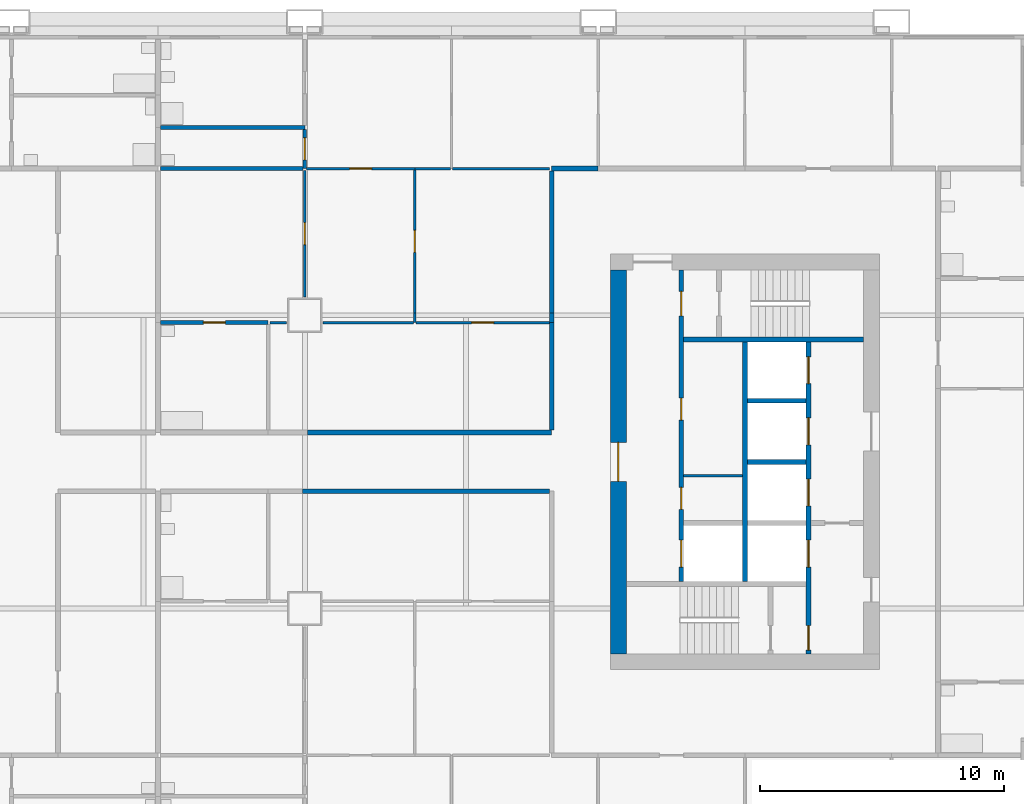
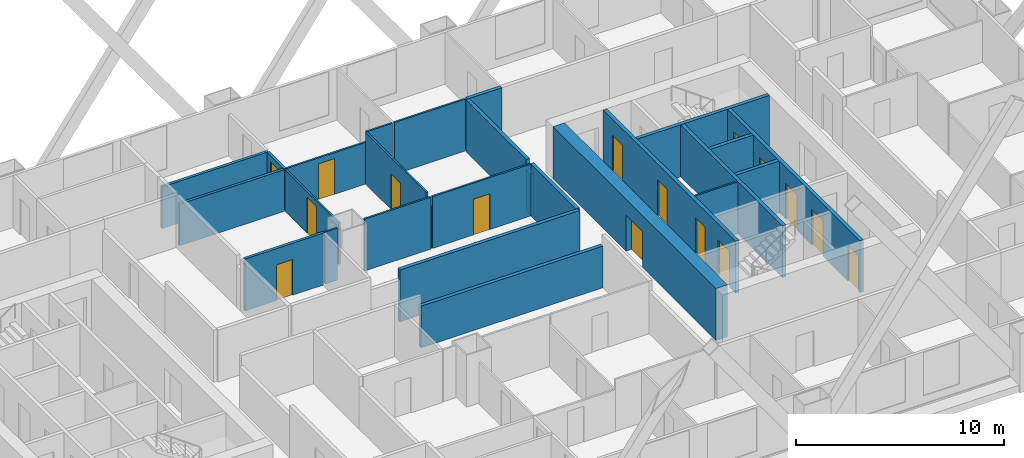
# One storey, part 6 of 11: 27 walls, 16 doors, 16 openings.
"""IFC4 building model written with IfcOpenShell, lengths in metres."""

import ifcopenshell
import ifcopenshell.guid

model = None  # the IFC model being written
_history = None  # IfcOwnerHistory: only IFC2X3 demands one
_inside = {}  # id of a spatial element -> (the spatial element, [elements in it])
_under = {}  # id of a project, library or spatial element -> (it, [spatial elements below it])
_declared = {}  # id of a project -> (the project, [libraries it declares])
_typed = {}  # id of a type object -> (the type object, [elements of that type])
_made_of = {}  # id of a material, layer set ... -> (it, [elements and type objects made of it])


def new_model(schema):
    """Start an empty IFC model of exactly this schema.

    Asked for "IFC4X3", IfcOpenShell would pick the latest addendum, in which some entities
    have other attributes; the version numbers below select the first issue.
    IFC2X3 requires an IfcOwnerHistory on every rooted entity: one is made here for all.
    """
    global model, _history
    if schema == "IFC4X3":
        model = ifcopenshell.file(schema_version=(4, 3, 0, 0))
    else:
        model = ifcopenshell.file(schema=schema)
    _inside.clear()
    _under.clear()
    _declared.clear()
    _typed.clear()
    _made_of.clear()
    _history = None
    if model.schema == "IFC2X3":
        org = make("IfcOrganization", Name="unknown")
        user = make(
            "IfcPersonAndOrganization",
            ThePerson=make("IfcPerson", FamilyName="unknown"),
            TheOrganization=org,
        )
        app = make(
            "IfcApplication",
            ApplicationDeveloper=org,
            Version="unknown",
            ApplicationFullName="unknown",
            ApplicationIdentifier="unknown",
        )
        _history = make(
            "IfcOwnerHistory",
            OwningUser=user,
            OwningApplication=app,
            ChangeAction="ADDED",
            CreationDate=0,
        )
    return model


def make(cls, **values):
    """One entity of the class cls with the attributes given. An attribute that is None is left unset."""
    return model.create_entity(
        cls, **{name: value for name, value in values.items() if value is not None}
    )


def rooted(cls, **values):
    """An entity with a GlobalId (a new one), such as an element, a storey or a relation."""
    return make(cls, GlobalId=ifcopenshell.guid.new(), OwnerHistory=_history, **values)


def si_unit(unit_type, name, prefix=None):
    """IfcSIUnit, for example si_unit("LENGTHUNIT", "METRE", prefix="MILLI")."""
    return make("IfcSIUnit", UnitType=unit_type, Prefix=prefix, Name=name)


def assignment(units):
    """IfcUnitAssignment: the units of a project."""
    return None if units is None else make("IfcUnitAssignment", Units=units)


def point(xyz):
    """IfcCartesianPoint."""
    return None if xyz is None else make("IfcCartesianPoint", Coordinates=xyz)


def direction(xyz):
    """IfcDirection."""
    return None if xyz is None else make("IfcDirection", DirectionRatios=xyz)


def frame(location, z_axis=None, x_axis=None):
    """IfcAxis2Placement3D, a coordinate frame: its origin and axes. An axis left out is left unset."""
    return make(
        "IfcAxis2Placement3D",
        Location=point(location),
        Axis=direction(z_axis),
        RefDirection=direction(x_axis),
    )


def frame_2d(location, x_axis=None):
    """IfcAxis2Placement2D, a coordinate frame in the plane: its origin and x axis."""
    return make(
        "IfcAxis2Placement2D", Location=point(location), RefDirection=direction(x_axis)
    )


def origin():
    """The frame at (0, 0, 0) with its axes left unset."""
    return frame((0.0, 0.0, 0.0))


def place(relative_to, where):
    """IfcLocalPlacement: puts the frame where relative to a parent placement (None: the world)."""
    return make(
        "IfcLocalPlacement", PlacementRelTo=relative_to, RelativePlacement=where
    )


def context(
    kind, dimensions, precision=None, world=None, true_north=None, identifier=None
):
    """IfcGeometricRepresentationContext, for example the 3D "Model" context."""
    return make(
        "IfcGeometricRepresentationContext",
        ContextIdentifier=identifier,
        ContextType=kind,
        CoordinateSpaceDimension=dimensions,
        Precision=precision,
        WorldCoordinateSystem=world,
        TrueNorth=true_north,
    )


def subcontext(parent, identifier, kind, view, scale=None):
    """IfcGeometricRepresentationSubContext, for example "Body" below "Model"."""
    return make(
        "IfcGeometricRepresentationSubContext",
        ContextIdentifier=identifier,
        ContextType=kind,
        ParentContext=parent,
        TargetScale=scale,
        TargetView=view,
    )


def project(units=None, contexts=None):
    """IfcProject with its units and contexts."""
    return rooted(
        "IfcProject",
        Name="project",
        RepresentationContexts=contexts,
        UnitsInContext=assignment(units),
    )


def spatial(cls, under=None, at=None, **own):
    """A site, building, storey or space (cls), placed at a placement, below another one or the project."""
    s = rooted(cls, ObjectPlacement=at, **own)
    if under is not None:
        _under.setdefault(under.id(), (under, []))[1].append(s)
    return s


def profile(cls, at=None, kind="AREA", **sizes):
    """A parametric profile (cls). Its sizes go by their IFC names, for example OverallWidth=200.0."""
    return make(cls, ProfileType=kind, Position=at, **sizes)


def rectangle(**sizes):
    """IfcRectangleProfileDef."""
    return profile("IfcRectangleProfileDef", **sizes)


def extrude(swept, where, along, depth):
    """IfcExtrudedAreaSolid: the profile swept, set in the frame where, extruded along a direction by depth."""
    return make(
        "IfcExtrudedAreaSolid",
        SweptArea=swept,
        Position=where,
        ExtrudedDirection=direction(along),
        Depth=depth,
    )


def shape(context_of_items, identifier, shape_type, items):
    """IfcShapeRepresentation: the items that make up one representation, for example the "Body"."""
    return make(
        "IfcShapeRepresentation",
        ContextOfItems=context_of_items,
        RepresentationIdentifier=identifier,
        RepresentationType=shape_type,
        Items=items,
    )


def material(Name=None, Category=None):
    """IfcMaterial."""
    return make("IfcMaterial", Name=Name, Category=Category)


def layer(
    of_material, thickness, ventilated=None, Name=None, Category=None, Priority=None
):
    """IfcMaterialLayer: one layer of a wall or slab, of a material (None: an air gap)."""
    return make(
        "IfcMaterialLayer",
        Material=of_material,
        LayerThickness=thickness,
        IsVentilated=ventilated,
        Name=Name,
        Category=Category,
        Priority=Priority,
    )


def layer_set(layers, Name=None):
    """IfcMaterialLayerSet."""
    return make("IfcMaterialLayerSet", MaterialLayers=layers, LayerSetName=Name)


def made_of(thing, what):
    """Note that an element or type object is made of a material, layer set ...; save() writes the relation."""
    if what is not None:
        _made_of.setdefault(what.id(), (what, []))[1].append(thing)
    return thing


def type_object(cls, material=None, **own):
    """A type object (cls), such as IfcWallType, which elements share."""
    return made_of(rooted(cls, **own), material)


def element(
    cls,
    number,
    at=None,
    inside=None,
    cuts=None,
    type_object=None,
    material=None,
    context=None,
    identifier="Body",
    shape_type=None,
    held_by="IfcProductDefinitionShape",
    body=None,
    shapes=None,
    **own,
):
    """One element of the class cls, such as IfcWall. Its Tag is "e" and its number.

    at: its placement. inside: the storey or other place that contains it. cuts: it is an
    opening in that element (IfcRelVoidsElement). A single representation is given by context,
    identifier, shape_type and body (its items); several are given by shapes. held_by: the class
    of the entity that holds the representations. save() writes the other relations.
    """
    e = rooted(cls, Tag="e%d" % number, ObjectPlacement=at, **own)
    if body is not None:
        shapes = [shape(context, identifier, shape_type, body)]
    if shapes is not None:
        e.Representation = make(held_by, Representations=shapes)
    if inside is not None:
        _inside.setdefault(inside.id(), (inside, []))[1].append(e)
    if cuts is not None:
        rooted(
            "IfcRelVoidsElement", RelatingBuildingElement=cuts, RelatedOpeningElement=e
        )
    if type_object is not None:
        _typed.setdefault(type_object.id(), (type_object, []))[1].append(e)
    return made_of(e, material)


def fill(opening, filler):
    """IfcRelFillsElement: the door or window that sits in an opening."""
    return rooted(
        "IfcRelFillsElement",
        RelatingOpeningElement=opening,
        RelatedBuildingElement=filler,
    )


def aggregate(whole, parts):
    """IfcRelAggregates: a whole, such as a stair, and the parts it consists of."""
    return rooted("IfcRelAggregates", RelatingObject=whole, RelatedObjects=parts)


def save(model, path):
    """Write the relations noted so far, then the file.

    IfcRelAggregates (storeys below a building ...), IfcRelContainedInSpatialStructure (elements
    in a storey), IfcRelDefinesByType, IfcRelAssociatesMaterial and IfcRelDeclares: one each for
    every whole, place, type object, material and project.
    """
    for whole, parts in _under.values():
        aggregate(whole, parts)
    for where, things in _inside.values():
        rooted(
            "IfcRelContainedInSpatialStructure",
            RelatedElements=things,
            RelatingStructure=where,
        )
    for kind, things in _typed.values():
        rooted("IfcRelDefinesByType", RelatedObjects=things, RelatingType=kind)
    for what, things in _made_of.values():
        rooted("IfcRelAssociatesMaterial", RelatedObjects=things, RelatingMaterial=what)
    for by, libraries in _declared.values():
        rooted("IfcRelDeclares", RelatingContext=by, RelatedDefinitions=libraries)
    model.write(path)


model = new_model("IFC4")

# Units and contexts
model_context = context("Model", 3, precision=1e-05, world=origin(), true_north=direction((0.0, 1.0)))
body_context = subcontext(model_context, "Body", "Model", "MODEL_VIEW")
ifc_project = project(units=[si_unit("LENGTHUNIT", "METRE"), si_unit("AREAUNIT", "SQUARE_METRE"), si_unit("VOLUMEUNIT", "CUBIC_METRE"), si_unit("PLANEANGLEUNIT", "RADIAN"), si_unit("MASSUNIT", "GRAM", prefix="KILO")], contexts=[model_context])

# Site, building, storey
site_placement = place(None, origin())
site = spatial("IfcSite", under=ifc_project, at=site_placement, CompositionType="ELEMENT")
building_placement = place(site_placement, origin())
building = spatial("IfcBuilding", under=site, at=building_placement, Name="Kitamizu Gate Tower and Museum", CompositionType="ELEMENT")
storey_placement = place(building_placement, frame((0.0, 0.0, 113.85009765625)))
storey = spatial("IfcBuildingStorey", under=building, at=storey_placement, Name="L29", CompositionType="ELEMENT", Elevation=113.85009765625)

# Wall, opening, door
ifc_material_1 = material(Name="Concrete Fc60", Category="concrete")
ifc_layer_1 = layer(ifc_material_1, 0.64990234375)
ifc_layer_set_1 = layer_set([ifc_layer_1], Name="Concrete Fc60")
wall_type_1 = type_object("IfcWallType", Name="Core wall 650", PredefinedType="SHEAR", material=ifc_layer_set_1)
wall_1_placement = place(storey_placement, frame((48.824951171875, 22.14990234375, 0.0), z_axis=(0.0, 0.0, 1.0), x_axis=(0.0, 1.0, 0.0)))
wall_1 = element("IfcWall", 1, at=wall_1_placement, inside=storey, type_object=wall_type_1, Name="Core wall EARC", PredefinedType="SHEAR", context=body_context, shape_type="SweptSolid", body=[
    extrude(rectangle(XDim=15.7001953125, YDim=0.64990234375, at=frame_2d((7.85009765625, 0.0))), origin(), (0.0, 0.0, 1.0), 3.0498046875),
])
opening_1_placement = place(wall_1_placement, frame((7.050048828125, 0.0, 0.0)))
opening_1 = element("IfcOpeningElement", 2, at=opening_1_placement, cuts=wall_1, Name="Opening L29-072", PredefinedType="OPENING", context=body_context, shape_type="SweptSolid", body=[
    extrude(rectangle(XDim=1.60009765625, YDim=2.10009765625, at=frame_2d((0.800048828125, 1.050048828125))), frame((0.0, 0.3349609375, 0.0), z_axis=(0.0, -1.0, 0.0), x_axis=(1.0, 0.0, 0.0)), (0.0, 0.0, 1.0), 0.669921875),
])
ifc_material_2 = material(Name="Timber door set", Category="wood")
door_type_1 = type_object("IfcDoorType", Name="Entrance door 1600", OperationType="DOUBLE_DOOR_SINGLE_SWING", PredefinedType="DOOR", material=ifc_material_2)
door_1_placement = place(opening_1_placement, origin())
door_1 = element("IfcDoor", 3, at=door_1_placement, inside=storey, type_object=door_type_1, Name="Lobby door L29-072", OperationType="DOUBLE_DOOR_SINGLE_SWING", OverallHeight=2.10009765625, OverallWidth=1.60009765625, PredefinedType="DOOR", context=body_context, shape_type="SweptSolid", body=[
    extrude(rectangle(XDim=1.60009765625, YDim=2.10009765625, at=frame_2d((0.800048828125, 1.050048828125))), frame((0.0, 0.02490234375, 0.0), z_axis=(0.0, -1.0, 0.0), x_axis=(1.0, 0.0, 0.0)), (0.0, 0.0, 1.0), 0.050048828125),
])
fill(opening_1, door_1)

# Wall
ifc_material_3 = material(Name="Gypsum board on galvanised stud")
ifc_layer_2 = layer(ifc_material_3, 0.10009765625)
ifc_layer_set_2 = layer_set([ifc_layer_2], Name="Gypsum board on galvanised stud")
wall_type_2 = type_object("IfcWallType", Name="Partition 100", PredefinedType="PARTITIONING", material=ifc_layer_set_2)
wall_2_placement = place(storey_placement, frame((53.89990234375, 29.425048828125, 0.0), z_axis=(0.0, 0.0, 1.0), x_axis=(-1.0, 0.0, 0.0)))
element("IfcWall", 4, at=wall_2_placement, inside=storey, type_object=wall_type_2, Name="Partition EPF1", PredefinedType="PARTITIONING", context=body_context, shape_type="SweptSolid", body=[
    extrude(rectangle(XDim=2.39990234375, YDim=0.10009765625, at=frame_2d((1.199951171875, 0.0))), origin(), (0.0, 0.0, 1.0), 3.0498046875),
])

# Wall, opening, door
ifc_material_4 = material(Name="Gypsum board on galvanised stud")
ifc_layer_3 = layer(ifc_material_4, 0.10009765625)
ifc_layer_set_3 = layer_set([ifc_layer_3], Name="Gypsum board on galvanised stud")
wall_type_3 = type_object("IfcWallType", Name="Partition 100 NOT RATED", PredefinedType="PARTITIONING", material=ifc_layer_set_3)
wall_3_placement = place(storey_placement, frame((36.074951171875, 42.0, 0.0), z_axis=(0.0, 0.0, 1.0), x_axis=(1.0, 0.0, 0.0)))
wall_3 = element("IfcWall", 5, at=wall_3_placement, inside=storey, type_object=wall_type_3, Name="Partition L29-112", PredefinedType="PARTITIONING", context=body_context, shape_type="SweptSolid", body=[
    extrude(rectangle(XDim=4.425048828125, YDim=0.10009765625, at=frame_2d((2.21240234375, 0.0))), origin(), (0.0, 0.0, 1.0), 2.449951171875),
])
opening_2_placement = place(wall_3_placement, frame((1.762451171875, 0.0, 0.0)))
opening_2 = element("IfcOpeningElement", 6, at=opening_2_placement, cuts=wall_3, Name="Opening L29-044", PredefinedType="OPENING", context=body_context, shape_type="SweptSolid", body=[
    extrude(rectangle(XDim=0.89990234375, YDim=2.10009765625, at=frame_2d((0.449951171875, 1.050048828125))), frame((0.0, 0.06005859375, 0.0), z_axis=(0.0, -1.0, 0.0), x_axis=(1.0, 0.0, 0.0)), (0.0, 0.0, 1.0), 0.1201171875),
])
ifc_material_5 = material(Name="Timber door set", Category="wood")
door_type_2 = type_object("IfcDoorType", Name="Room door 900", OperationType="NOTDEFINED", PredefinedType="DOOR", material=ifc_material_5)
door_2_placement = place(opening_2_placement, frame((0.89990234375, 0.0, 0.0), x_axis=(-1.0, 0.0, 0.0)))
door_2 = element("IfcDoor", 7, at=door_2_placement, inside=storey, type_object=door_type_2, Name="Door L29-044", OperationType="SINGLE_SWING_RIGHT", OverallHeight=2.10009765625, OverallWidth=0.89990234375, PredefinedType="DOOR", context=body_context, shape_type="SweptSolid", body=[
    extrude(rectangle(XDim=0.89990234375, YDim=2.10009765625, at=frame_2d((0.449951171875, 1.050048828125))), frame((0.0, 0.02490234375, 0.0), z_axis=(0.0, -1.0, 0.0), x_axis=(1.0, 0.0, 0.0)), (0.0, 0.0, 1.0), 0.050048828125),
])
fill(opening_2, door_2)

# Walls
wall_4_placement = place(storey_placement, frame((40.5, 42.0, 0.0), z_axis=(0.0, 0.0, 1.0), x_axis=(1.0, 0.0, 0.0)))
element("IfcWall", 8, at=wall_4_placement, inside=storey, type_object=wall_type_3, Name="Partition L29-113", PredefinedType="PARTITIONING", context=body_context, shape_type="SweptSolid", body=[
    extrude(rectangle(XDim=1.449951171875, YDim=0.10009765625, at=frame_2d((0.72509765625, 0.0))), origin(), (0.0, 0.0, 1.0), 3.0498046875),
])
wall_5_placement = place(storey_placement, frame((42.050048828125, 42.0, 0.0), z_axis=(0.0, 0.0, 1.0), x_axis=(1.0, 0.0, 0.0)))
element("IfcWall", 9, at=wall_5_placement, inside=storey, type_object=wall_type_3, Name="Partition L29-115", PredefinedType="PARTITIONING", context=body_context, shape_type="SweptSolid", body=[
    extrude(rectangle(XDim=3.949951171875, YDim=0.10009765625, at=frame_2d((1.97509765625, 0.0))), origin(), (0.0, 0.0, 1.0), 3.0498046875),
])

# Wall, opening, door
wall_6_placement = place(storey_placement, frame((36.0, 36.75, 0.0), z_axis=(0.0, 0.0, 1.0), x_axis=(0.0, 1.0, 0.0)))
wall_6 = element("IfcWall", 10, at=wall_6_placement, inside=storey, type_object=wall_type_3, Name="Partition L29-122", PredefinedType="PARTITIONING", context=body_context, shape_type="SweptSolid", body=[
    extrude(rectangle(XDim=5.175048828125, YDim=0.10009765625, at=frame_2d((2.58740234375, 0.0))), origin(), (0.0, 0.0, 1.0), 2.449951171875),
])
opening_3_placement = place(wall_6_placement, frame((2.137451171875, 0.0, 0.0)))
opening_3 = element("IfcOpeningElement", 11, at=opening_3_placement, cuts=wall_6, Name="Opening L29-049", PredefinedType="OPENING", context=body_context, shape_type="SweptSolid", body=[
    extrude(rectangle(XDim=0.89990234375, YDim=2.10009765625, at=frame_2d((0.449951171875, 1.050048828125))), frame((0.0, 0.06005859375, 0.0), z_axis=(0.0, -1.0, 0.0), x_axis=(1.0, 0.0, 0.0)), (0.0, 0.0, 1.0), 0.1201171875),
])
door_3_placement = place(opening_3_placement, frame((0.89990234375, 0.0, 0.0), x_axis=(-1.0, 0.0, 0.0)))
door_3 = element("IfcDoor", 12, at=door_3_placement, inside=storey, type_object=door_type_2, Name="Door L29-049", OperationType="SINGLE_SWING_LEFT", OverallHeight=2.10009765625, OverallWidth=0.89990234375, PredefinedType="DOOR", context=body_context, shape_type="SweptSolid", body=[
    extrude(rectangle(XDim=0.89990234375, YDim=2.10009765625, at=frame_2d((0.449951171875, 1.050048828125))), frame((0.0, 0.02490234375, 0.0), z_axis=(0.0, -1.0, 0.0), x_axis=(1.0, 0.0, 0.0)), (0.0, 0.0, 1.0), 0.050048828125),
])
fill(opening_3, door_3)

# Walls
wall_7_placement = place(storey_placement, frame((34.574951171875, 35.699951171875, 0.0), z_axis=(0.0, 0.0, 1.0), x_axis=(1.0, 0.0, 0.0)))
element("IfcWall", 13, at=wall_7_placement, inside=storey, type_object=wall_type_3, Name="Partition L29-124", PredefinedType="PARTITIONING", context=body_context, shape_type="SweptSolid", body=[
    extrude(rectangle(XDim=0.675048828125, YDim=0.10009765625, at=frame_2d((0.33740234375, 0.0))), origin(), (0.0, 0.0, 1.0), 3.0498046875),
])
wall_8_placement = place(storey_placement, frame((40.5, 35.699951171875, 0.0), z_axis=(0.0, 0.0, 1.0), x_axis=(0.0, 1.0, 0.0)))
element("IfcWall", 14, at=wall_8_placement, inside=storey, type_object=wall_type_3, Name="Partition L29-125", PredefinedType="PARTITIONING", context=body_context, shape_type="SweptSolid", body=[
    extrude(rectangle(XDim=0.400146484375, YDim=0.10009765625, at=frame_2d((0.2001953125, 0.0))), origin(), (0.0, 0.0, 1.0), 2.449951171875),
])

# Wall, opening, door
wall_9_placement = place(storey_placement, frame((40.5, 36.10009765625, 0.0), z_axis=(0.0, 0.0, 1.0), x_axis=(0.0, 1.0, 0.0)))
wall_9 = element("IfcWall", 15, at=wall_9_placement, inside=storey, type_object=wall_type_3, Name="Partition L29-126", PredefinedType="PARTITIONING", context=body_context, shape_type="SweptSolid", body=[
    extrude(rectangle(XDim=5.849853515625, YDim=0.10009765625, at=frame_2d((2.9248046875, 0.0))), origin(), (0.0, 0.0, 1.0), 3.0498046875),
])
opening_4_placement = place(wall_9_placement, frame((2.47509765625, 0.0, 0.0)))
opening_4 = element("IfcOpeningElement", 16, at=opening_4_placement, cuts=wall_9, Name="Opening L29-045", PredefinedType="OPENING", context=body_context, shape_type="SweptSolid", body=[
    extrude(rectangle(XDim=0.89990234375, YDim=2.10009765625, at=frame_2d((0.449951171875, 1.050048828125))), frame((0.0, 0.06005859375, 0.0), z_axis=(0.0, -1.0, 0.0), x_axis=(1.0, 0.0, 0.0)), (0.0, 0.0, 1.0), 0.1201171875),
])
door_4_placement = place(opening_4_placement, origin())
door_4 = element("IfcDoor", 17, at=door_4_placement, inside=storey, type_object=door_type_2, Name="Door L29-045", OperationType="SINGLE_SWING_RIGHT", OverallHeight=2.10009765625, OverallWidth=0.89990234375, PredefinedType="DOOR", context=body_context, shape_type="SweptSolid", body=[
    extrude(rectangle(XDim=0.89990234375, YDim=2.10009765625, at=frame_2d((0.449951171875, 1.050048828125))), frame((0.0, 0.02490234375, 0.0), z_axis=(0.0, -1.0, 0.0), x_axis=(1.0, 0.0, 0.0)), (0.0, 0.0, 1.0), 0.050048828125),
])
fill(opening_4, door_4)

# Wall
wall_10_placement = place(storey_placement, frame((36.75, 35.699951171875, 0.0), z_axis=(0.0, 0.0, 1.0), x_axis=(1.0, 0.0, 0.0)))
element("IfcWall", 18, at=wall_10_placement, inside=storey, type_object=wall_type_3, Name="Partition L29-127", PredefinedType="PARTITIONING", context=body_context, shape_type="SweptSolid", body=[
    extrude(rectangle(XDim=3.699951171875, YDim=0.10009765625, at=frame_2d((1.85009765625, 0.0))), origin(), (0.0, 0.0, 1.0), 3.0498046875),
])

# Wall, opening, door
wall_11_placement = place(storey_placement, frame((40.550048828125, 35.699951171875, 0.0), z_axis=(0.0, 0.0, 1.0), x_axis=(1.0, 0.0, 0.0)))
wall_11 = element("IfcWall", 19, at=wall_11_placement, inside=storey, type_object=wall_type_3, Name="Partition L29-128", PredefinedType="PARTITIONING", context=body_context, shape_type="SweptSolid", body=[
    extrude(rectangle(XDim=5.449951171875, YDim=0.10009765625, at=frame_2d((2.72509765625, 0.0))), origin(), (0.0, 0.0, 1.0), 3.0498046875),
])
opening_5_placement = place(wall_11_placement, frame((2.27490234375, 0.0, 0.0)))
opening_5 = element("IfcOpeningElement", 20, at=opening_5_placement, cuts=wall_11, Name="Opening L29-046", PredefinedType="OPENING", context=body_context, shape_type="SweptSolid", body=[
    extrude(rectangle(XDim=0.89990234375, YDim=2.10009765625, at=frame_2d((0.449951171875, 1.050048828125))), frame((0.0, 0.06005859375, 0.0), z_axis=(0.0, -1.0, 0.0), x_axis=(1.0, 0.0, 0.0)), (0.0, 0.0, 1.0), 0.1201171875),
])
door_5_placement = place(opening_5_placement, origin())
door_5 = element("IfcDoor", 21, at=door_5_placement, inside=storey, type_object=door_type_2, Name="Door L29-046", OperationType="SINGLE_SWING_LEFT", OverallHeight=2.10009765625, OverallWidth=0.89990234375, PredefinedType="DOOR", context=body_context, shape_type="SweptSolid", body=[
    extrude(rectangle(XDim=0.89990234375, YDim=2.10009765625, at=frame_2d((0.449951171875, 1.050048828125))), frame((0.0, 0.02490234375, 0.0), z_axis=(0.0, -1.0, 0.0), x_axis=(1.0, 0.0, 0.0)), (0.0, 0.0, 1.0), 0.050048828125),
])
fill(opening_5, door_5)

# Wall
ifc_material_6 = material(Name="Gypsum board on galvanised stud")
ifc_layer_4 = layer(ifc_material_6, 0.14990234375)
ifc_layer_set_4 = layer_set([ifc_layer_4], Name="Gypsum board on galvanised stud")
wall_type_4 = type_object("IfcWallType", Name="Partition 150", PredefinedType="PARTITIONING", material=ifc_layer_set_4)
wall_12_placement = place(storey_placement, frame((30.10009765625, 43.679931640625, 0.0), z_axis=(0.0, 0.0, 1.0), x_axis=(1.0, 0.0, 0.0)))
element("IfcWall", 22, at=wall_12_placement, inside=storey, type_object=wall_type_4, Name="Partition L29-107", PredefinedType="PARTITIONING", context=body_context, shape_type="SweptSolid", body=[
    extrude(rectangle(XDim=5.89990234375, YDim=0.14990234375, at=frame_2d((2.949951171875, 0.0))), origin(), (0.0, 0.0, 1.0), 2.449951171875),
])

# Wall, opening, door
wall_13_placement = place(storey_placement, frame((36.0, 42.0, 0.0), z_axis=(0.0, 0.0, 1.0), x_axis=(0.0, 1.0, 0.0)))
wall_13 = element("IfcWall", 23, at=wall_13_placement, inside=storey, type_object=wall_type_4, Name="Partition L29-109", PredefinedType="PARTITIONING", context=body_context, shape_type="SweptSolid", body=[
    extrude(rectangle(XDim=1.60498046875, YDim=0.14990234375, at=frame_2d((0.802490234375, 0.0))), origin(), (0.0, 0.0, 1.0), 2.449951171875),
])
opening_6_placement = place(wall_13_placement, frame((0.3525390625, 0.0, 0.0)))
opening_6 = element("IfcOpeningElement", 24, at=opening_6_placement, cuts=wall_13, Name="Opening L29-048", PredefinedType="OPENING", context=body_context, shape_type="SweptSolid", body=[
    extrude(rectangle(XDim=0.89990234375, YDim=2.10009765625, at=frame_2d((0.449951171875, 1.050048828125))), frame((0.0, 0.0849609375, 0.0), z_axis=(0.0, -1.0, 0.0), x_axis=(1.0, 0.0, 0.0)), (0.0, 0.0, 1.0), 0.169921875),
])
ifc_material_7 = material(Name="Timber door set", Category="wood")
door_type_3 = type_object("IfcDoorType", Name="Bathroom door 900", OperationType="NOTDEFINED", PredefinedType="DOOR", material=ifc_material_7)
door_6_placement = place(opening_6_placement, origin())
door_6 = element("IfcDoor", 25, at=door_6_placement, inside=storey, type_object=door_type_3, Name="Bathroom door L29-048", OperationType="SINGLE_SWING_LEFT", OverallHeight=2.10009765625, OverallWidth=0.89990234375, PredefinedType="DOOR", context=body_context, shape_type="SweptSolid", body=[
    extrude(rectangle(XDim=0.89990234375, YDim=2.10009765625, at=frame_2d((0.449951171875, 1.050048828125))), frame((0.0, 0.02490234375, 0.0), z_axis=(0.0, -1.0, 0.0), x_axis=(1.0, 0.0, 0.0)), (0.0, 0.0, 1.0), 0.050048828125),
])
fill(opening_6, door_6)

# Wall
wall_14_placement = place(storey_placement, frame((30.10009765625, 42.0, 0.0), z_axis=(0.0, 0.0, 1.0), x_axis=(1.0, 0.0, 0.0)))
element("IfcWall", 26, at=wall_14_placement, inside=storey, type_object=wall_type_4, Name="Partition L29-110", PredefinedType="PARTITIONING", context=body_context, shape_type="SweptSolid", body=[
    extrude(rectangle(XDim=5.824951171875, YDim=0.14990234375, at=frame_2d((2.91259765625, 0.0))), origin(), (0.0, 0.0, 1.0), 2.449951171875),
])

# Wall, opening, door
wall_15_placement = place(storey_placement, frame((30.10009765625, 35.699951171875, 0.0), z_axis=(0.0, 0.0, 1.0), x_axis=(1.0, 0.0, 0.0)))
wall_15 = element("IfcWall", 27, at=wall_15_placement, inside=storey, type_object=wall_type_4, Name="Partition L29-123", PredefinedType="PARTITIONING", context=body_context, shape_type="SweptSolid", body=[
    extrude(rectangle(XDim=4.39990234375, YDim=0.14990234375, at=frame_2d((2.199951171875, 0.0))), origin(), (0.0, 0.0, 1.0), 3.0498046875),
])
opening_7_placement = place(wall_15_placement, frame((1.75, 0.0, 0.0)))
opening_7 = element("IfcOpeningElement", 28, at=opening_7_placement, cuts=wall_15, Name="Opening L29-050", PredefinedType="OPENING", context=body_context, shape_type="SweptSolid", body=[
    extrude(rectangle(XDim=0.89990234375, YDim=2.10009765625, at=frame_2d((0.449951171875, 1.050048828125))), frame((0.0, 0.0849609375, 0.0), z_axis=(0.0, -1.0, 0.0), x_axis=(1.0, 0.0, 0.0)), (0.0, 0.0, 1.0), 0.169921875),
])
door_7_placement = place(opening_7_placement, frame((0.89990234375, 0.0, 0.0), x_axis=(-1.0, 0.0, 0.0)))
door_7 = element("IfcDoor", 29, at=door_7_placement, inside=storey, type_object=door_type_3, Name="Bathroom door L29-050", OperationType="SINGLE_SWING_RIGHT", OverallHeight=2.10009765625, OverallWidth=0.89990234375, PredefinedType="DOOR", context=body_context, shape_type="SweptSolid", body=[
    extrude(rectangle(XDim=0.89990234375, YDim=2.10009765625, at=frame_2d((0.449951171875, 1.050048828125))), frame((0.0, 0.02490234375, 0.0), z_axis=(0.0, -1.0, 0.0), x_axis=(1.0, 0.0, 0.0)), (0.0, 0.0, 1.0), 0.050048828125),
])
fill(opening_7, door_7)

# Walls
ifc_material_8 = material(Name="Gypsum board on galvanised stud")
ifc_layer_5 = layer(ifc_material_8, 0.199951171875)
ifc_layer_set_5 = layer_set([ifc_layer_5], Name="Gypsum board on galvanised stud")
wall_type_5 = type_object("IfcWallType", Name="Partition 200", PredefinedType="PARTITIONING", material=ifc_layer_set_5)
wall_16_placement = place(storey_placement, frame((46.0, 28.800048828125, 0.0), z_axis=(0.0, 0.0, 1.0), x_axis=(-1.0, 0.0, 0.0)))
element("IfcWall", 30, at=wall_16_placement, inside=storey, type_object=wall_type_5, Name="Partition L29-066", PredefinedType="PARTITIONING", context=body_context, shape_type="SweptSolid", body=[
    extrude(rectangle(XDim=10.10009765625, YDim=0.199951171875, at=frame_2d((5.050048828125, 0.0))), origin(), (0.0, 0.0, 1.0), 2.449951171875),
])
wall_17_placement = place(storey_placement, frame((46.10009765625, 42.0, 0.0), z_axis=(0.0, 0.0, 1.0), x_axis=(1.0, 0.0, 0.0)))
element("IfcWall", 31, at=wall_17_placement, inside=storey, type_object=wall_type_5, Name="Partition L29-116", PredefinedType="PARTITIONING", context=body_context, shape_type="SweptSolid", body=[
    extrude(rectangle(XDim=1.89990234375, YDim=0.199951171875, at=frame_2d((0.949951171875, 0.0))), origin(), (0.0, 0.0, 1.0), 3.0498046875),
])
wall_18_placement = place(storey_placement, frame((46.10009765625, 35.699951171875, 0.0), z_axis=(0.0, 0.0, 1.0), x_axis=(0.0, 1.0, 0.0)))
element("IfcWall", 32, at=wall_18_placement, inside=storey, type_object=wall_type_5, Name="Partition L29-129", PredefinedType="PARTITIONING", context=body_context, shape_type="SweptSolid", body=[
    extrude(rectangle(XDim=0.400146484375, YDim=0.199951171875, at=frame_2d((0.2001953125, 0.0))), origin(), (0.0, 0.0, 1.0), 2.449951171875),
])
wall_19_placement = place(storey_placement, frame((46.10009765625, 36.10009765625, 0.0), z_axis=(0.0, 0.0, 1.0), x_axis=(0.0, 1.0, 0.0)))
element("IfcWall", 33, at=wall_19_placement, inside=storey, type_object=wall_type_5, Name="Partition L29-130", PredefinedType="PARTITIONING", context=body_context, shape_type="SweptSolid", body=[
    extrude(rectangle(XDim=5.7998046875, YDim=0.199951171875, at=frame_2d((2.89990234375, 0.0))), origin(), (0.0, 0.0, 1.0), 3.0498046875),
])
wall_20_placement = place(storey_placement, frame((36.10009765625, 31.199951171875, 0.0), z_axis=(0.0, 0.0, 1.0), x_axis=(1.0, 0.0, 0.0)))
element("IfcWall", 34, at=wall_20_placement, inside=storey, type_object=wall_type_5, Name="Partition L29-134", PredefinedType="PARTITIONING", context=body_context, shape_type="SweptSolid", body=[
    extrude(rectangle(XDim=10.0, YDim=0.199951171875, at=frame_2d((5.0, 0.0))), origin(), (0.0, 0.0, 1.0), 3.0498046875),
])
wall_21_placement = place(storey_placement, frame((46.10009765625, 31.300048828125, 0.0), z_axis=(0.0, 0.0, 1.0), x_axis=(0.0, 1.0, 0.0)))
element("IfcWall", 35, at=wall_21_placement, inside=storey, type_object=wall_type_5, Name="Partition L29-135", PredefinedType="PARTITIONING", context=body_context, shape_type="SweptSolid", body=[
    extrude(rectangle(XDim=4.39990234375, YDim=0.199951171875, at=frame_2d((2.199951171875, 0.0))), origin(), (0.0, 0.0, 1.0), 3.0498046875),
])

# Wall, openings, doors
ifc_material_9 = material(Name="Concrete Fc42", Category="concrete")
ifc_layer_6 = layer(ifc_material_9, 0.199951171875)
ifc_layer_set_6 = layer_set([ifc_layer_6], Name="Concrete Fc42")
wall_type_6 = type_object("IfcWallType", Name="Shaft wall 200", PredefinedType="SOLIDWALL", material=ifc_layer_set_6)
wall_22_placement = place(storey_placement, frame((56.60009765625, 22.14990234375, 0.0), z_axis=(0.0, 0.0, 1.0), x_axis=(0.0, 1.0, 0.0)))
wall_22 = element("IfcWall", 36, at=wall_22_placement, inside=storey, type_object=wall_type_6, Name="Shaft wall EWEST", PredefinedType="SOLIDWALL", context=body_context, shape_type="SweptSolid", body=[
    extrude(rectangle(XDim=12.75, YDim=0.199951171875, at=frame_2d((6.375, 0.0))), origin(), (0.0, 0.0, 1.0), 3.0498046875),
])
opening_8_placement = place(wall_22_placement, frame((3.550048828125, 0.0, 0.0)))
opening_8 = element("IfcOpeningElement", 37, at=opening_8_placement, cuts=wall_22, Name="Opening LD", PredefinedType="OPENING", context=body_context, shape_type="SweptSolid", body=[
    extrude(rectangle(XDim=1.10009765625, YDim=2.10009765625, at=frame_2d((0.550048828125, 1.050048828125))), frame((0.0, 0.10986328125, 0.0), z_axis=(0.0, -1.0, 0.0), x_axis=(1.0, 0.0, 0.0)), (0.0, 0.0, 1.0), 0.219970703125),
])
opening_9_placement = place(wall_22_placement, frame((6.050048828125, 0.0, 0.0)))
opening_9 = element("IfcOpeningElement", 38, at=opening_9_placement, cuts=wall_22, Name="Opening LD", PredefinedType="OPENING", context=body_context, shape_type="SweptSolid", body=[
    extrude(rectangle(XDim=1.10009765625, YDim=2.10009765625, at=frame_2d((0.550048828125, 1.050048828125))), frame((0.0, 0.10986328125, 0.0), z_axis=(0.0, -1.0, 0.0), x_axis=(1.0, 0.0, 0.0)), (0.0, 0.0, 1.0), 0.219970703125),
])
opening_10_placement = place(wall_22_placement, frame((8.550048828125, 0.0, 0.0)))
opening_10 = element("IfcOpeningElement", 39, at=opening_10_placement, cuts=wall_22, Name="Opening LD", PredefinedType="OPENING", context=body_context, shape_type="SweptSolid", body=[
    extrude(rectangle(XDim=1.10009765625, YDim=2.10009765625, at=frame_2d((0.550048828125, 1.050048828125))), frame((0.0, 0.10986328125, 0.0), z_axis=(0.0, -1.0, 0.0), x_axis=(1.0, 0.0, 0.0)), (0.0, 0.0, 1.0), 0.219970703125),
])
opening_11_placement = place(wall_22_placement, frame((11.050048828125, 0.0, 0.0)))
opening_11 = element("IfcOpeningElement", 40, at=opening_11_placement, cuts=wall_22, Name="Opening LD", PredefinedType="OPENING", context=body_context, shape_type="SweptSolid", body=[
    extrude(rectangle(XDim=1.10009765625, YDim=2.10009765625, at=frame_2d((0.550048828125, 1.050048828125))), frame((0.0, 0.10986328125, 0.0), z_axis=(0.0, -1.0, 0.0), x_axis=(1.0, 0.0, 0.0)), (0.0, 0.0, 1.0), 0.219970703125),
])
opening_12_placement = place(wall_22_placement, frame((0.14990234375, 0.0, 0.0)))
opening_12 = element("IfcOpeningElement", 41, at=opening_12_placement, cuts=wall_22, Name="Opening L29-065", PredefinedType="OPENING", context=body_context, shape_type="SweptSolid", body=[
    extrude(rectangle(XDim=1.0, YDim=2.10009765625, at=frame_2d((0.5, 1.050048828125))), frame((0.0, 0.10986328125, 0.0), z_axis=(0.0, -1.0, 0.0), x_axis=(1.0, 0.0, 0.0)), (0.0, 0.0, 1.0), 0.219970703125),
])
ifc_material_10 = material(Name="Hollow metal door set")
door_type_4 = type_object("IfcDoorType", Name="Fire door 1000", OperationType="NOTDEFINED", PredefinedType="DOOR", material=ifc_material_10)
door_8_placement = place(opening_12_placement, origin())
door_8 = element("IfcDoor", 42, at=door_8_placement, inside=storey, type_object=door_type_4, Name="Stair lobby door L29-065", OperationType="SINGLE_SWING_RIGHT", OverallHeight=2.10009765625, OverallWidth=1.0, PredefinedType="DOOR", context=body_context, shape_type="SweptSolid", body=[
    extrude(rectangle(XDim=1.0, YDim=2.10009765625, at=frame_2d((0.5, 1.050048828125))), frame((0.0, 0.02490234375, 0.0), z_axis=(0.0, -1.0, 0.0), x_axis=(1.0, 0.0, 0.0)), (0.0, 0.0, 1.0), 0.050048828125),
])
fill(opening_12, door_8)
ifc_material_11 = material(Name="Hollow metal door set")
door_type_5 = type_object("IfcDoorType", Name="Landing door 1100", OperationType="SLIDING_TO_LEFT", PredefinedType="DOOR", material=ifc_material_11)
door_9_placement = place(opening_8_placement, origin())
door_9 = element("IfcDoor", 43, at=door_9_placement, inside=storey, type_object=door_type_5, Name="Landing door EFF1", OperationType="SLIDING_TO_LEFT", OverallHeight=2.10009765625, OverallWidth=1.10009765625, PredefinedType="DOOR", context=body_context, shape_type="SweptSolid", body=[
    extrude(rectangle(XDim=1.10009765625, YDim=2.10009765625, at=frame_2d((0.550048828125, 1.050048828125))), frame((0.0, 0.02490234375, 0.0), z_axis=(0.0, -1.0, 0.0), x_axis=(1.0, 0.0, 0.0)), (0.0, 0.0, 1.0), 0.050048828125),
])
fill(opening_8, door_9)
door_10_placement = place(opening_9_placement, origin())
door_10 = element("IfcDoor", 44, at=door_10_placement, inside=storey, type_object=door_type_5, Name="Landing door EL1", OperationType="SLIDING_TO_LEFT", OverallHeight=2.10009765625, OverallWidth=1.10009765625, PredefinedType="DOOR", context=body_context, shape_type="SweptSolid", body=[
    extrude(rectangle(XDim=1.10009765625, YDim=2.10009765625, at=frame_2d((0.550048828125, 1.050048828125))), frame((0.0, 0.02490234375, 0.0), z_axis=(0.0, -1.0, 0.0), x_axis=(1.0, 0.0, 0.0)), (0.0, 0.0, 1.0), 0.050048828125),
])
fill(opening_9, door_10)
door_11_placement = place(opening_10_placement, origin())
door_11 = element("IfcDoor", 45, at=door_11_placement, inside=storey, type_object=door_type_5, Name="Landing door EL2", OperationType="SLIDING_TO_LEFT", OverallHeight=2.10009765625, OverallWidth=1.10009765625, PredefinedType="DOOR", context=body_context, shape_type="SweptSolid", body=[
    extrude(rectangle(XDim=1.10009765625, YDim=2.10009765625, at=frame_2d((0.550048828125, 1.050048828125))), frame((0.0, 0.02490234375, 0.0), z_axis=(0.0, -1.0, 0.0), x_axis=(1.0, 0.0, 0.0)), (0.0, 0.0, 1.0), 0.050048828125),
])
fill(opening_10, door_11)
door_12_placement = place(opening_11_placement, origin())
door_12 = element("IfcDoor", 46, at=door_12_placement, inside=storey, type_object=door_type_5, Name="Landing door EL3", OperationType="SLIDING_TO_LEFT", OverallHeight=2.10009765625, OverallWidth=1.10009765625, PredefinedType="DOOR", context=body_context, shape_type="SweptSolid", body=[
    extrude(rectangle(XDim=1.10009765625, YDim=2.10009765625, at=frame_2d((0.550048828125, 1.050048828125))), frame((0.0, 0.02490234375, 0.0), z_axis=(0.0, -1.0, 0.0), x_axis=(1.0, 0.0, 0.0)), (0.0, 0.0, 1.0), 0.050048828125),
])
fill(opening_11, door_12)

wall_23_placement = place(storey_placement, frame((51.39990234375, 25.10009765625, 0.0), z_axis=(0.0, 0.0, 1.0), x_axis=(0.0, 1.0, 0.0)))
wall_23 = element("IfcWall", 47, at=wall_23_placement, inside=storey, type_object=wall_type_6, Name="Shaft wall EEAST", PredefinedType="SOLIDWALL", context=body_context, shape_type="SweptSolid", body=[
    extrude(rectangle(XDim=12.75, YDim=0.199951171875, at=frame_2d((6.375, 0.0))), origin(), (0.0, 0.0, 1.0), 3.0498046875),
])
opening_13_placement = place(wall_23_placement, frame((0.60009765625, 0.0, 0.0)))
opening_13 = element("IfcOpeningElement", 48, at=opening_13_placement, cuts=wall_23, Name="Opening LD", PredefinedType="OPENING", context=body_context, shape_type="SweptSolid", body=[
    extrude(rectangle(XDim=1.10009765625, YDim=2.10009765625, at=frame_2d((0.550048828125, 1.050048828125))), frame((0.0, 0.10986328125, 0.0), z_axis=(0.0, -1.0, 0.0), x_axis=(1.0, 0.0, 0.0)), (0.0, 0.0, 1.0), 0.219970703125),
])
opening_14_placement = place(wall_23_placement, frame((10.875, 0.0, 0.0)))
opening_14 = element("IfcOpeningElement", 49, at=opening_14_placement, cuts=wall_23, Name="Opening L29-066", PredefinedType="OPENING", context=body_context, shape_type="SweptSolid", body=[
    extrude(rectangle(XDim=1.0, YDim=2.10009765625, at=frame_2d((0.5, 1.050048828125))), frame((0.0, 0.10986328125, 0.0), z_axis=(0.0, -1.0, 0.0), x_axis=(1.0, 0.0, 0.0)), (0.0, 0.0, 1.0), 0.219970703125),
])
opening_15_placement = place(wall_23_placement, frame((2.96240234375, 0.0, 0.0)))
opening_15 = element("IfcOpeningElement", 50, at=opening_15_placement, cuts=wall_23, Name="Opening L29-073", PredefinedType="OPENING", context=body_context, shape_type="SweptSolid", body=[
    extrude(rectangle(XDim=0.89990234375, YDim=2.10009765625, at=frame_2d((0.449951171875, 1.050048828125))), frame((0.0, 0.10986328125, 0.0), z_axis=(0.0, -1.0, 0.0), x_axis=(1.0, 0.0, 0.0)), (0.0, 0.0, 1.0), 0.219970703125),
])
opening_16_placement = place(wall_23_placement, frame((6.612548828125, 0.0, 0.0)))
opening_16 = element("IfcOpeningElement", 51, at=opening_16_placement, cuts=wall_23, Name="Opening L29-074", PredefinedType="OPENING", context=body_context, shape_type="SweptSolid", body=[
    extrude(rectangle(XDim=0.89990234375, YDim=2.10009765625, at=frame_2d((0.449951171875, 1.050048828125))), frame((0.0, 0.10986328125, 0.0), z_axis=(0.0, -1.0, 0.0), x_axis=(1.0, 0.0, 0.0)), (0.0, 0.0, 1.0), 0.219970703125),
])
door_13_placement = place(opening_14_placement, frame((1.0, 0.0, 0.0), x_axis=(-1.0, 0.0, 0.0)))
door_13 = element("IfcDoor", 52, at=door_13_placement, inside=storey, type_object=door_type_4, Name="Stair lobby door L29-066", OperationType="SINGLE_SWING_LEFT", OverallHeight=2.10009765625, OverallWidth=1.0, PredefinedType="DOOR", context=body_context, shape_type="SweptSolid", body=[
    extrude(rectangle(XDim=1.0, YDim=2.10009765625, at=frame_2d((0.5, 1.050048828125))), frame((0.0, 0.02490234375, 0.0), z_axis=(0.0, -1.0, 0.0), x_axis=(1.0, 0.0, 0.0)), (0.0, 0.0, 1.0), 0.050048828125),
])
fill(opening_14, door_13)
door_14_placement = place(opening_13_placement, origin())
door_14 = element("IfcDoor", 53, at=door_14_placement, inside=storey, type_object=door_type_5, Name="Landing door ESV1", OperationType="SLIDING_TO_LEFT", OverallHeight=2.10009765625, OverallWidth=1.10009765625, PredefinedType="DOOR", context=body_context, shape_type="SweptSolid", body=[
    extrude(rectangle(XDim=1.10009765625, YDim=2.10009765625, at=frame_2d((0.550048828125, 1.050048828125))), frame((0.0, 0.02490234375, 0.0), z_axis=(0.0, -1.0, 0.0), x_axis=(1.0, 0.0, 0.0)), (0.0, 0.0, 1.0), 0.050048828125),
])
fill(opening_13, door_14)
ifc_material_12 = material(Name="Timber door set", Category="wood")
door_type_6 = type_object("IfcDoorType", Name="Service door 900", OperationType="NOTDEFINED", PredefinedType="DOOR", material=ifc_material_12)
door_15_placement = place(opening_15_placement, frame((0.89990234375, 0.0, 0.0), x_axis=(-1.0, 0.0, 0.0)))
door_15 = element("IfcDoor", 54, at=door_15_placement, inside=storey, type_object=door_type_6, Name="Service door L29-073", OperationType="SINGLE_SWING_LEFT", OverallHeight=2.10009765625, OverallWidth=0.89990234375, PredefinedType="DOOR", context=body_context, shape_type="SweptSolid", body=[
    extrude(rectangle(XDim=0.89990234375, YDim=2.10009765625, at=frame_2d((0.449951171875, 1.050048828125))), frame((0.0, 0.02490234375, 0.0), z_axis=(0.0, -1.0, 0.0), x_axis=(1.0, 0.0, 0.0)), (0.0, 0.0, 1.0), 0.050048828125),
])
fill(opening_15, door_15)
door_16_placement = place(opening_16_placement, frame((0.89990234375, 0.0, 0.0), x_axis=(-1.0, 0.0, 0.0)))
door_16 = element("IfcDoor", 55, at=door_16_placement, inside=storey, type_object=door_type_6, Name="Service door L29-074", OperationType="SINGLE_SWING_RIGHT", OverallHeight=2.10009765625, OverallWidth=0.89990234375, PredefinedType="DOOR", context=body_context, shape_type="SweptSolid", body=[
    extrude(rectangle(XDim=0.89990234375, YDim=2.10009765625, at=frame_2d((0.449951171875, 1.050048828125))), frame((0.0, 0.02490234375, 0.0), z_axis=(0.0, -1.0, 0.0), x_axis=(1.0, 0.0, 0.0)), (0.0, 0.0, 1.0), 0.050048828125),
])
fill(opening_16, door_16)

# Walls
wall_24_placement = place(storey_placement, frame((54.0, 25.10009765625, 0.0), z_axis=(0.0, 0.0, 1.0), x_axis=(0.0, 1.0, 0.0)))
element("IfcWall", 56, at=wall_24_placement, inside=storey, type_object=wall_type_6, Name="Shaft wall EMID", PredefinedType="SOLIDWALL", context=body_context, shape_type="SweptSolid", body=[
    extrude(rectangle(XDim=9.7998046875, YDim=0.199951171875, at=frame_2d((4.89990234375, 0.0))), origin(), (0.0, 0.0, 1.0), 3.0498046875),
])
wall_25_placement = place(storey_placement, frame((58.85009765625, 35.0, 0.0), z_axis=(0.0, 0.0, 1.0), x_axis=(-1.0, 0.0, 0.0)))
element("IfcWall", 57, at=wall_25_placement, inside=storey, type_object=wall_type_6, Name="Shaft wall ENB", PredefinedType="SOLIDWALL", context=body_context, shape_type="SweptSolid", body=[
    extrude(rectangle(XDim=7.35009765625, YDim=0.199951171875, at=frame_2d((3.675048828125, 0.0))), origin(), (0.0, 0.0, 1.0), 3.0498046875),
])
for number, where, z_axis, x_axis, name in (
    (58, (56.5, 30.0, 0.0), (0.0, 0.0, 1.0), (-1.0, 0.0, 0.0), "Shaft wall EDVW1"),
    (59, (56.5, 32.5, 0.0), (0.0, 0.0, 1.0), (-1.0, 0.0, 0.0), "Shaft wall EDVW2"),
):
    element("IfcWall", number, at=place(storey_placement, frame(where, z_axis=z_axis, x_axis=x_axis)), inside=storey, type_object=wall_type_6, Name=name, PredefinedType="SOLIDWALL", context=body_context, shape_type="SweptSolid", body=[
        extrude(rectangle(XDim=2.39990234375, YDim=0.199951171875, at=frame_2d((1.199951171875, 0.0))), origin(), (0.0, 0.0, 1.0), 3.0498046875),
    ])

save(model, "model.ifc")
